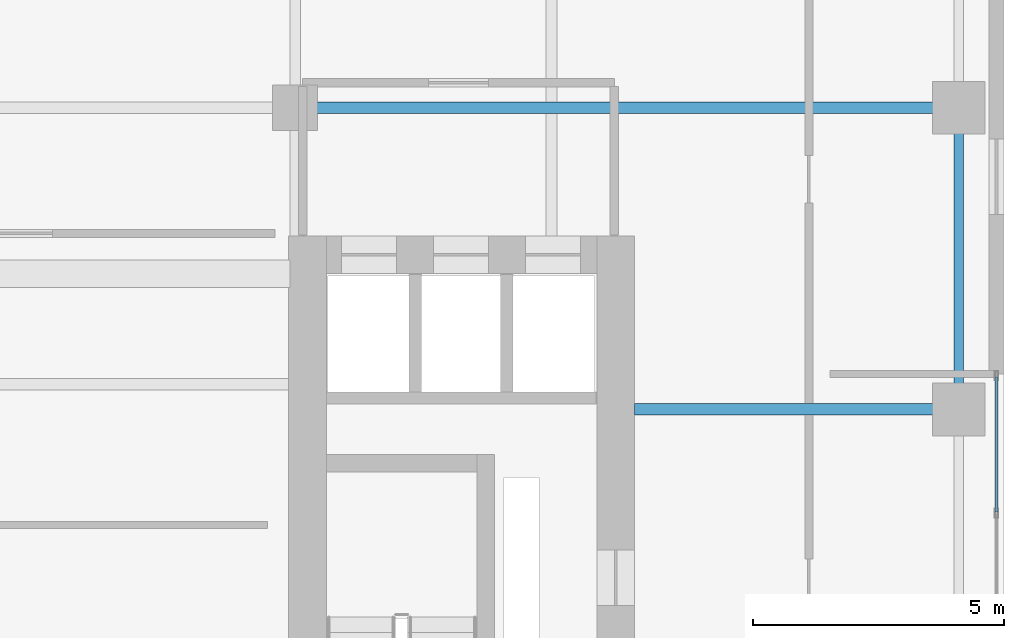
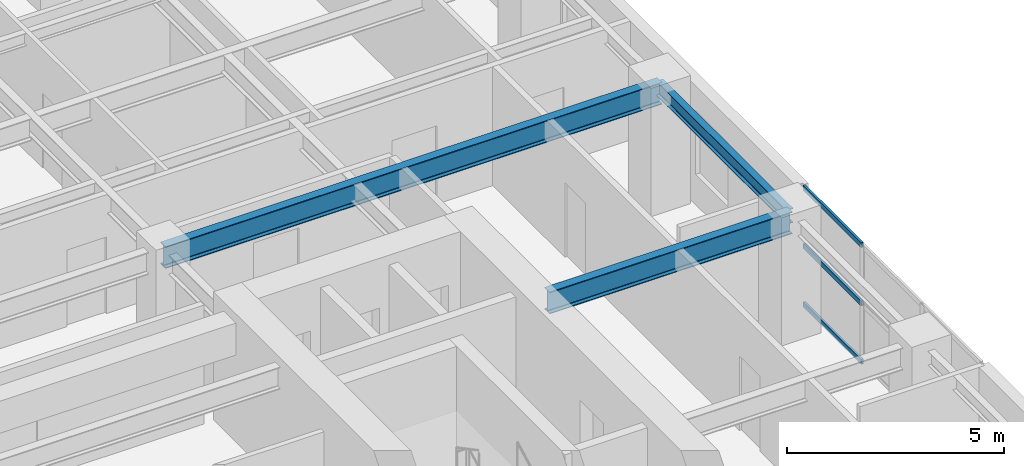
# One storey, part 5 of 15: 3 beams, 3 members, 1 element without a shape of its own.
"""IFC4 building model written with IfcOpenShell, lengths in metres."""

import ifcopenshell
import ifcopenshell.guid

model = None  # the IFC model being written
_history = None  # IfcOwnerHistory: only IFC2X3 demands one
_inside = {}  # id of a spatial element -> (the spatial element, [elements in it])
_under = {}  # id of a project, library or spatial element -> (it, [spatial elements below it])
_declared = {}  # id of a project -> (the project, [libraries it declares])
_typed = {}  # id of a type object -> (the type object, [elements of that type])
_made_of = {}  # id of a material, layer set ... -> (it, [elements and type objects made of it])


def new_model(schema):
    """Start an empty IFC model of exactly this schema.

    Asked for "IFC4X3", IfcOpenShell would pick the latest addendum, in which some entities
    have other attributes; the version numbers below select the first issue.
    IFC2X3 requires an IfcOwnerHistory on every rooted entity: one is made here for all.
    """
    global model, _history
    if schema == "IFC4X3":
        model = ifcopenshell.file(schema_version=(4, 3, 0, 0))
    else:
        model = ifcopenshell.file(schema=schema)
    _inside.clear()
    _under.clear()
    _declared.clear()
    _typed.clear()
    _made_of.clear()
    _history = None
    if model.schema == "IFC2X3":
        org = make("IfcOrganization", Name="unknown")
        user = make(
            "IfcPersonAndOrganization",
            ThePerson=make("IfcPerson", FamilyName="unknown"),
            TheOrganization=org,
        )
        app = make(
            "IfcApplication",
            ApplicationDeveloper=org,
            Version="unknown",
            ApplicationFullName="unknown",
            ApplicationIdentifier="unknown",
        )
        _history = make(
            "IfcOwnerHistory",
            OwningUser=user,
            OwningApplication=app,
            ChangeAction="ADDED",
            CreationDate=0,
        )
    return model


def make(cls, **values):
    """One entity of the class cls with the attributes given. An attribute that is None is left unset."""
    return model.create_entity(
        cls, **{name: value for name, value in values.items() if value is not None}
    )


def rooted(cls, **values):
    """An entity with a GlobalId (a new one), such as an element, a storey or a relation."""
    return make(cls, GlobalId=ifcopenshell.guid.new(), OwnerHistory=_history, **values)


def si_unit(unit_type, name, prefix=None):
    """IfcSIUnit, for example si_unit("LENGTHUNIT", "METRE", prefix="MILLI")."""
    return make("IfcSIUnit", UnitType=unit_type, Prefix=prefix, Name=name)


def assignment(units):
    """IfcUnitAssignment: the units of a project."""
    return None if units is None else make("IfcUnitAssignment", Units=units)


def point(xyz):
    """IfcCartesianPoint."""
    return None if xyz is None else make("IfcCartesianPoint", Coordinates=xyz)


def direction(xyz):
    """IfcDirection."""
    return None if xyz is None else make("IfcDirection", DirectionRatios=xyz)


def frame(location, z_axis=None, x_axis=None):
    """IfcAxis2Placement3D, a coordinate frame: its origin and axes. An axis left out is left unset."""
    return make(
        "IfcAxis2Placement3D",
        Location=point(location),
        Axis=direction(z_axis),
        RefDirection=direction(x_axis),
    )


def frame_2d(location, x_axis=None):
    """IfcAxis2Placement2D, a coordinate frame in the plane: its origin and x axis."""
    return make(
        "IfcAxis2Placement2D", Location=point(location), RefDirection=direction(x_axis)
    )


def origin():
    """The frame at (0, 0, 0) with its axes left unset."""
    return frame((0.0, 0.0, 0.0))


def origin_2d():
    """The frame at (0, 0) in the plane with its x axis left unset."""
    return frame_2d((0.0, 0.0))


def place(relative_to, where):
    """IfcLocalPlacement: puts the frame where relative to a parent placement (None: the world)."""
    return make(
        "IfcLocalPlacement", PlacementRelTo=relative_to, RelativePlacement=where
    )


def context(
    kind, dimensions, precision=None, world=None, true_north=None, identifier=None
):
    """IfcGeometricRepresentationContext, for example the 3D "Model" context."""
    return make(
        "IfcGeometricRepresentationContext",
        ContextIdentifier=identifier,
        ContextType=kind,
        CoordinateSpaceDimension=dimensions,
        Precision=precision,
        WorldCoordinateSystem=world,
        TrueNorth=true_north,
    )


def subcontext(parent, identifier, kind, view, scale=None):
    """IfcGeometricRepresentationSubContext, for example "Body" below "Model"."""
    return make(
        "IfcGeometricRepresentationSubContext",
        ContextIdentifier=identifier,
        ContextType=kind,
        ParentContext=parent,
        TargetScale=scale,
        TargetView=view,
    )


def project(units=None, contexts=None):
    """IfcProject with its units and contexts."""
    return rooted(
        "IfcProject",
        Name="project",
        RepresentationContexts=contexts,
        UnitsInContext=assignment(units),
    )


def spatial(cls, under=None, at=None, **own):
    """A site, building, storey or space (cls), placed at a placement, below another one or the project."""
    s = rooted(cls, ObjectPlacement=at, **own)
    if under is not None:
        _under.setdefault(under.id(), (under, []))[1].append(s)
    return s


def profile(cls, at=None, kind="AREA", **sizes):
    """A parametric profile (cls). Its sizes go by their IFC names, for example OverallWidth=200.0."""
    return make(cls, ProfileType=kind, Position=at, **sizes)


def hollow_rectangle(**sizes):
    """IfcRectangleHollowProfileDef."""
    return profile("IfcRectangleHollowProfileDef", **sizes)


def i_section(**sizes):
    """IfcIShapeProfileDef."""
    return profile("IfcIShapeProfileDef", **sizes)


def extrude(swept, where, along, depth):
    """IfcExtrudedAreaSolid: the profile swept, set in the frame where, extruded along a direction by depth."""
    return make(
        "IfcExtrudedAreaSolid",
        SweptArea=swept,
        Position=where,
        ExtrudedDirection=direction(along),
        Depth=depth,
    )


def shape(context_of_items, identifier, shape_type, items):
    """IfcShapeRepresentation: the items that make up one representation, for example the "Body"."""
    return make(
        "IfcShapeRepresentation",
        ContextOfItems=context_of_items,
        RepresentationIdentifier=identifier,
        RepresentationType=shape_type,
        Items=items,
    )


def source(mapping_origin, context_of_items, identifier, shape_type, items):
    """IfcRepresentationMap: a shape defined once, which mapped items show again and again."""
    return make(
        "IfcRepresentationMap",
        MappingOrigin=mapping_origin,
        MappedRepresentation=shape(context_of_items, identifier, shape_type, items),
    )


def transform(
    local_origin,
    x_axis=None,
    y_axis=None,
    z_axis=None,
    scale=None,
    scale2=None,
    scale3=None,
    uniform=True,
):
    """IfcCartesianTransformationOperator3D, or its non-uniform kind. x_axis, y_axis, z_axis: its Axis1, 2, 3."""
    if uniform:
        return make(
            "IfcCartesianTransformationOperator3D",
            Axis1=direction(x_axis),
            Axis2=direction(y_axis),
            LocalOrigin=point(local_origin),
            Scale=scale,
            Axis3=direction(z_axis),
        )
    return make(
        "IfcCartesianTransformationOperator3DnonUniform",
        Axis1=direction(x_axis),
        Axis2=direction(y_axis),
        LocalOrigin=point(local_origin),
        Scale=scale,
        Axis3=direction(z_axis),
        Scale2=scale2,
        Scale3=scale3,
    )


def mapped(mapping_source, mapping_target):
    """IfcMappedItem: shows the shape of a source again, moved by a transform."""
    return make(
        "IfcMappedItem", MappingSource=mapping_source, MappingTarget=mapping_target
    )


def material(Name=None, Category=None):
    """IfcMaterial."""
    return make("IfcMaterial", Name=Name, Category=Category)


def layer(
    of_material, thickness, ventilated=None, Name=None, Category=None, Priority=None
):
    """IfcMaterialLayer: one layer of a wall or slab, of a material (None: an air gap)."""
    return make(
        "IfcMaterialLayer",
        Material=of_material,
        LayerThickness=thickness,
        IsVentilated=ventilated,
        Name=Name,
        Category=Category,
        Priority=Priority,
    )


def layer_set(layers, Name=None):
    """IfcMaterialLayerSet."""
    return make("IfcMaterialLayerSet", MaterialLayers=layers, LayerSetName=Name)


def material_profile(
    of_material, cross_section, Name=None, Category=None, Priority=None
):
    """IfcMaterialProfile: a cross section and its material."""
    return make(
        "IfcMaterialProfile",
        Name=Name,
        Material=of_material,
        Profile=cross_section,
        Priority=Priority,
        Category=Category,
    )


def profile_set(profiles, Name=None, composite=None):
    """IfcMaterialProfileSet."""
    return make(
        "IfcMaterialProfileSet",
        Name=Name,
        MaterialProfiles=profiles,
        CompositeProfile=composite,
    )


def made_of(thing, what):
    """Note that an element or type object is made of a material, layer set ...; save() writes the relation."""
    if what is not None:
        _made_of.setdefault(what.id(), (what, []))[1].append(thing)
    return thing


def type_object(cls, material=None, **own):
    """A type object (cls), such as IfcWallType, which elements share."""
    return made_of(rooted(cls, **own), material)


def element(
    cls,
    number,
    at=None,
    inside=None,
    cuts=None,
    type_object=None,
    material=None,
    context=None,
    identifier="Body",
    shape_type=None,
    held_by="IfcProductDefinitionShape",
    body=None,
    shapes=None,
    **own,
):
    """One element of the class cls, such as IfcWall. Its Tag is "e" and its number.

    at: its placement. inside: the storey or other place that contains it. cuts: it is an
    opening in that element (IfcRelVoidsElement). A single representation is given by context,
    identifier, shape_type and body (its items); several are given by shapes. held_by: the class
    of the entity that holds the representations. save() writes the other relations.
    """
    e = rooted(cls, Tag="e%d" % number, ObjectPlacement=at, **own)
    if body is not None:
        shapes = [shape(context, identifier, shape_type, body)]
    if shapes is not None:
        e.Representation = make(held_by, Representations=shapes)
    if inside is not None:
        _inside.setdefault(inside.id(), (inside, []))[1].append(e)
    if cuts is not None:
        rooted(
            "IfcRelVoidsElement", RelatingBuildingElement=cuts, RelatedOpeningElement=e
        )
    if type_object is not None:
        _typed.setdefault(type_object.id(), (type_object, []))[1].append(e)
    return made_of(e, material)


def aggregate(whole, parts):
    """IfcRelAggregates: a whole, such as a stair, and the parts it consists of."""
    return rooted("IfcRelAggregates", RelatingObject=whole, RelatedObjects=parts)


def save(model, path):
    """Write the relations noted so far, then the file.

    IfcRelAggregates (storeys below a building ...), IfcRelContainedInSpatialStructure (elements
    in a storey), IfcRelDefinesByType, IfcRelAssociatesMaterial and IfcRelDeclares: one each for
    every whole, place, type object, material and project.
    """
    for whole, parts in _under.values():
        aggregate(whole, parts)
    for where, things in _inside.values():
        rooted(
            "IfcRelContainedInSpatialStructure",
            RelatedElements=things,
            RelatingStructure=where,
        )
    for kind, things in _typed.values():
        rooted("IfcRelDefinesByType", RelatedObjects=things, RelatingType=kind)
    for what, things in _made_of.values():
        rooted("IfcRelAssociatesMaterial", RelatedObjects=things, RelatingMaterial=what)
    for by, libraries in _declared.values():
        rooted("IfcRelDeclares", RelatingContext=by, RelatedDefinitions=libraries)
    model.write(path)


model = new_model("IFC4")

# Units and contexts
model_context = context("Model", 3, precision=1e-05, world=origin(), true_north=direction((0.0, 1.0)))
body_context = subcontext(model_context, "Body", "Model", "MODEL_VIEW")
ifc_project = project(units=[si_unit("LENGTHUNIT", "METRE"), si_unit("AREAUNIT", "SQUARE_METRE"), si_unit("VOLUMEUNIT", "CUBIC_METRE"), si_unit("PLANEANGLEUNIT", "RADIAN"), si_unit("MASSUNIT", "GRAM", prefix="KILO")], contexts=[model_context])

# Site, building, storey
site_placement = place(None, origin())
site = spatial("IfcSite", under=ifc_project, at=site_placement, CompositionType="ELEMENT")
building_placement = place(site_placement, origin())
building = spatial("IfcBuilding", under=site, at=building_placement, Name="Khoralis Quay Care Tower", CompositionType="ELEMENT")
storey_placement = place(building_placement, frame((0.0, 0.0, 123.300048828125)))
storey = spatial("IfcBuildingStorey", under=building, at=storey_placement, Name="L32", CompositionType="ELEMENT", Elevation=123.300048828125)

# Beams
ifc_material_1 = material(Name="Steel S355", Category="steel")
ifc_material_profile_1 = material_profile(ifc_material_1, i_section(OverallWidth=0.179931640625, OverallDepth=0.39990234375, WebThickness=0.008544921875, FlangeThickness=0.013427734375, FilletRadius=0.02099609375, at=origin_2d()), Name="Steel S355")
ifc_profile_set_1 = profile_set([ifc_material_profile_1], Name="Steel S355")
beam_type_1 = type_object("IfcBeamType", Name="BM-IPE400", PredefinedType="SPANDREL", material=ifc_profile_set_1)
shared_shape_1 = source(origin(), body_context, "Body", "SweptSolid", [
    extrude(i_section(OverallWidth=0.179931640625, OverallDepth=0.39990234375, WebThickness=0.008544921875, FlangeThickness=0.013427734375, FilletRadius=0.02099609375, at=origin_2d()), origin(), (0.0, 0.0, 1.0), 6.0),
])
beam_1_placement = place(storey_placement, frame((44.10009765625, 24.0, 3.139892578125), z_axis=(0.0, 1.0, 0.0), x_axis=(-1.0, 0.0, 0.0)))
element("IfcBeam", 1, at=beam_1_placement, inside=storey, type_object=beam_type_1, Name="BM-TSP-L32-19", PredefinedType="SPANDREL", context=body_context, shape_type="MappedRepresentation", body=[
    mapped(shared_shape_1, transform((0.0, 0.0, 0.0), scale=1.0)),
])
ifc_material_profile_2 = material_profile(ifc_material_1, i_section(OverallWidth=0.22998046875, OverallDepth=0.616943359375, WebThickness=0.01318359375, FlangeThickness=0.022216796875, FilletRadius=0.01806640625, at=origin_2d()), Name="Steel S355")
ifc_profile_set_2 = profile_set([ifc_material_profile_2], Name="Steel S355")
beam_type_2 = type_object("IfcBeamType", Name="BM-W610X140", PredefinedType="BEAM", material=ifc_profile_set_2)
shared_shape_2 = source(origin(), body_context, "Body", "SweptSolid", [
    extrude(i_section(OverallWidth=0.22998046875, OverallDepth=0.616943359375, WebThickness=0.01318359375, FlangeThickness=0.022216796875, FilletRadius=0.01806640625, at=origin_2d()), origin(), (0.0, 0.0, 1.0), 13.2001953125),
])
beam_2_placement = place(storey_placement, frame((30.89990234375, 30.0, 3.031494140625), z_axis=(1.0, 0.0, 0.0), x_axis=(0.0, 1.0, 0.0)))
element("IfcBeam", 2, at=beam_2_placement, inside=storey, type_object=beam_type_2, Name="BM-TGXE-L32-300", PredefinedType="BEAM", context=body_context, shape_type="MappedRepresentation", body=[
    mapped(shared_shape_2, transform((0.0, 0.0, 0.0), scale=1.0)),
])
shared_shape_3 = source(origin(), body_context, "Body", "SweptSolid", [
    extrude(i_section(OverallWidth=0.22998046875, OverallDepth=0.616943359375, WebThickness=0.01318359375, FlangeThickness=0.022216796875, FilletRadius=0.01806640625, at=origin_2d()), origin(), (0.0, 0.0, 1.0), 6.4521484375),
])
beam_3_placement = place(storey_placement, frame((37.64794921875, 24.0, 3.031494140625), z_axis=(1.0, 0.0, 0.0), x_axis=(0.0, 1.0, 0.0)))
element("IfcBeam", 3, at=beam_3_placement, inside=storey, type_object=beam_type_2, Name="BM-TGXE-L32-240", PredefinedType="BEAM", context=body_context, shape_type="MappedRepresentation", body=[
    mapped(shared_shape_3, transform((0.0, 0.0, 0.0), scale=1.0)),
])

# Curtain wall, members
ifc_material_2 = material(Name="Pale anodised aluminium", Category="aluminium")
ifc_layer = layer(ifc_material_2, 0.169921875)
ifc_layer_set = layer_set([ifc_layer], Name="Pale anodised aluminium")
curtain_wall_type = type_object("IfcCurtainWallType", Name="CW-SYS-Z2", PredefinedType="NOTDEFINED", material=ifc_layer_set)
curtain_wall_placement = place(storey_placement, origin())
curtain_wall = element("IfcCurtainWall", 4, at=curtain_wall_placement, inside=storey, type_object=curtain_wall_type, Name="L32 Unitised Curtain Wall CW-L32-P1-E5", PredefinedType="NOTDEFINED")
ifc_material_profile_3 = material_profile(ifc_material_2, hollow_rectangle(XDim=0.06005859375, YDim=0.139892578125, WallThickness=0.00390625, at=origin_2d()), Name="Pale anodised aluminium")
ifc_profile_set_3 = profile_set([ifc_material_profile_3], Name="Pale anodised aluminium")
member_type = type_object("IfcMemberType", Name="CW-TRN-140", PredefinedType="USERDEFINED", material=ifc_profile_set_3)
shared_shape_4 = source(origin(), body_context, "Body", "SweptSolid", [
    extrude(hollow_rectangle(XDim=0.06005859375, YDim=0.139892578125, WallThickness=0.00390625, at=origin_2d()), origin(), (0.0, 0.0, 1.0), 2.676513671875),
])
member_1_placement = place(storey_placement, frame((44.85009765625, 21.96337890625, 0.030029296875), z_axis=(0.0, 1.0, 0.0), x_axis=(-1.0, 0.0, 0.0)))
member_1 = element("IfcMember", 5, at=member_1_placement, type_object=member_type, Name="CW2 transom 3.1", ObjectType="TRANSOM", PredefinedType="USERDEFINED", context=body_context, shape_type="MappedRepresentation", body=[
    mapped(shared_shape_4, transform((0.0, 0.0, 0.0), scale=1.0)),
])
member_2_placement = place(storey_placement, frame((44.85009765625, 21.96337890625, 1.669921875), z_axis=(0.0, 1.0, 0.0), x_axis=(-1.0, 0.0, 0.0)))
member_2 = element("IfcMember", 6, at=member_2_placement, type_object=member_type, Name="CW2 transom 3.2", ObjectType="TRANSOM", PredefinedType="USERDEFINED", context=body_context, shape_type="MappedRepresentation", body=[
    mapped(shared_shape_4, transform((0.0, 0.0, 0.0), scale=1.0)),
])
member_3_placement = place(storey_placement, frame((44.85009765625, 21.96337890625, 3.31005859375), z_axis=(0.0, 1.0, 0.0), x_axis=(-1.0, 0.0, 0.0)))
member_3 = element("IfcMember", 7, at=member_3_placement, type_object=member_type, Name="CW2 transom 3.3", ObjectType="TRANSOM", PredefinedType="USERDEFINED", context=body_context, shape_type="MappedRepresentation", body=[
    mapped(shared_shape_4, transform((0.0, 0.0, 0.0), scale=1.0)),
])
aggregate(curtain_wall, [member_1, member_2, member_3])

save(model, "model.ifc")
